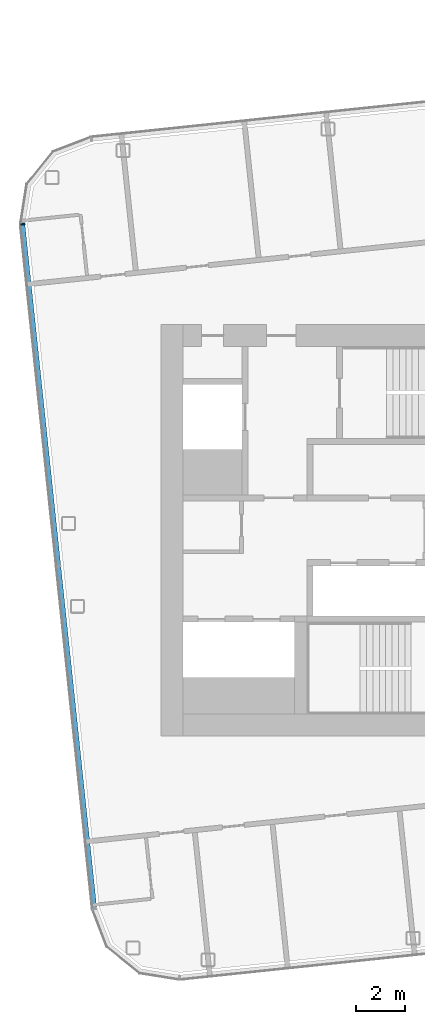
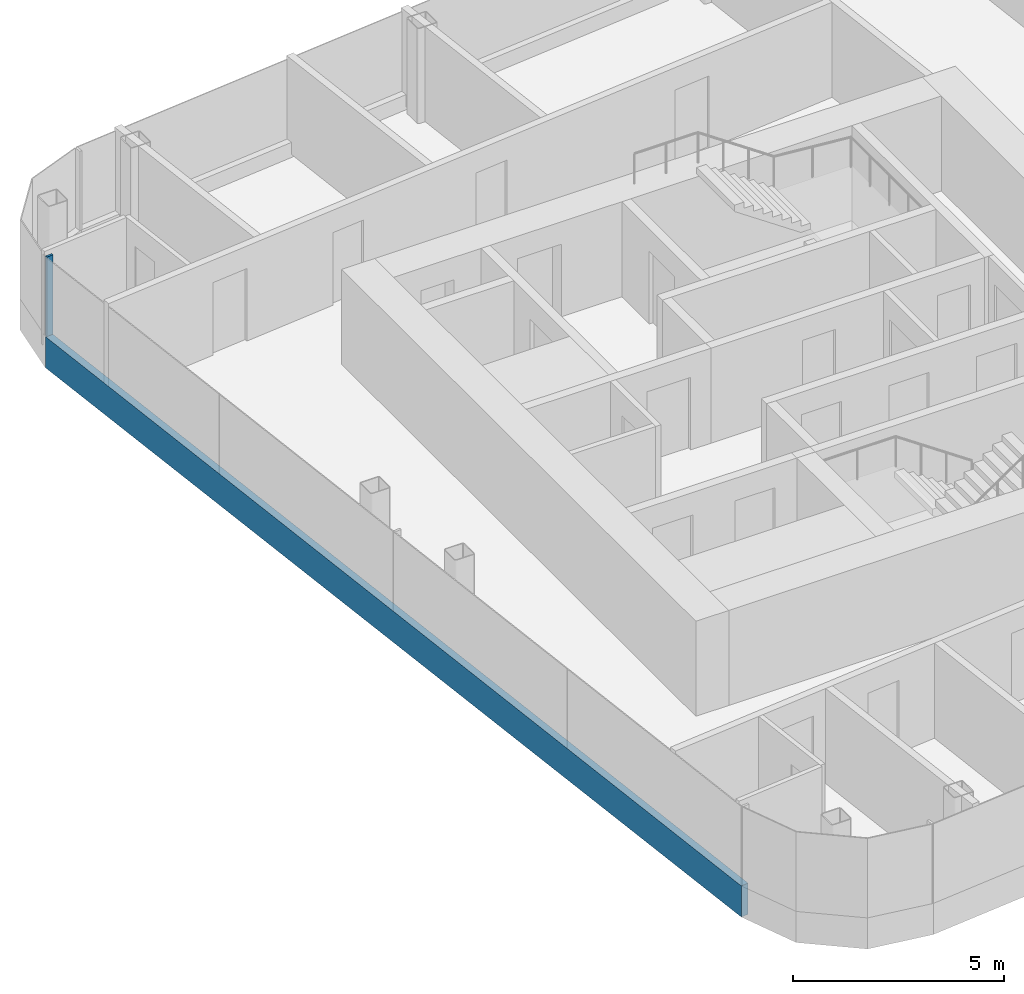
# One storey, part 4 of 27: 2 members, 1 element without a shape of its own.
"""IFC4 building model written with IfcOpenShell, lengths in metres."""

from ifc_helpers import new_model, si_unit, direction, frame, origin, origin_2d, place, context, subcontext, project, spatial, rectangle, extrude, material, layer, layer_set, material_profile, profile_set, type_object, element, aggregate, save


model = new_model("IFC4")

# Units and contexts
model_context = context("Model", 3, precision=1e-05, world=origin(), true_north=direction((0.0, 1.0)))
body_context = subcontext(model_context, "Body", "Model", "MODEL_VIEW")
ifc_project = project(units=[si_unit("LENGTHUNIT", "METRE"), si_unit("AREAUNIT", "SQUARE_METRE"), si_unit("VOLUMEUNIT", "CUBIC_METRE"), si_unit("PLANEANGLEUNIT", "RADIAN"), si_unit("MASSUNIT", "GRAM", prefix="KILO")], contexts=[model_context])

# Site, building, storey
site_placement = place(None, origin())
site = spatial("IfcSite", under=ifc_project, at=site_placement, CompositionType="ELEMENT")
building_placement = place(site_placement, origin())
building = spatial("IfcBuilding", under=site, at=building_placement, Name="Hakoniwa Tower and Hamabe Station Hall", CompositionType="ELEMENT")
storey_placement = place(building_placement, frame((0.0, 0.0, 239.0)))
storey = spatial("IfcBuildingStorey", under=building, at=storey_placement, Name="L67", CompositionType="ELEMENT", Elevation=239.0)

# Curtain wall, members
ifc_material_1 = material(Name="Dark low-e laminated glass", Category="glass")
ifc_layer = layer(ifc_material_1, 0.199951171875)
ifc_layer_set = layer_set([ifc_layer], Name="CW-1 UNITISED GUEST")
curtain_wall_type = type_object("IfcCurtainWallType", Name="CW-1 UNITISED GUEST", PredefinedType="NOTDEFINED", material=ifc_layer_set)
curtain_wall_placement = place(storey_placement, origin())
curtain_wall = element("IfcCurtainWall", 1, at=curtain_wall_placement, inside=storey, type_object=curtain_wall_type, Name="CW-1 curtain wall", PredefinedType="NOTDEFINED")
ifc_material_2 = material(Name="Aluminium 6063-T5 black anodised", Category="aluminium")
ifc_material_profile_1 = material_profile(ifc_material_2, rectangle(XDim=0.199951171875, YDim=0.89990234375, at=origin_2d()), Name="CW SLAB-EDGE BAND 900X200")
ifc_profile_set_1 = profile_set([ifc_material_profile_1], Name="Aluminium 6063-T5 black anodised")
member_type_1 = type_object("IfcMemberType", Name="CW SLAB-EDGE BAND 900X200", PredefinedType="USERDEFINED", material=ifc_profile_set_1)
member_1_placement = place(storey_placement, frame((-39.25927734375, 12.490478515625, -0.10009765625), z_axis=(0.104529086463, -0.994521829868, 0.0), x_axis=(0.994521829868, 0.104529086463, 0.0)))
member_1 = element("IfcMember", 2, at=member_1_placement, type_object=member_type_1, Name="CW-1 transom", ObjectType="TRANSOM", PredefinedType="USERDEFINED", context=body_context, shape_type="SweptSolid", body=[
    extrude(rectangle(XDim=0.199951171875, YDim=0.89990234375, at=origin_2d()), origin(), (0.0, 0.0, 1.0), 28.078857421875),
])
ifc_material_3 = material(Name="Aluminium 6063-T5 black anodised", Category="aluminium")
ifc_material_profile_2 = material_profile(ifc_material_3, rectangle(XDim=0.06005859375, YDim=0.179931640625, at=origin_2d()), Name="CW-1 MULLION 60X180")
ifc_profile_set_2 = profile_set([ifc_material_profile_2], Name="Aluminium 6063-T5 black anodised")
member_type_2 = type_object("IfcMemberType", Name="CW-1 MULLION 60X180", PredefinedType="MULLION", material=ifc_profile_set_2)
member_2_placement = place(storey_placement, frame((-39.241455078125, 12.492431640625, 0.35009765625), z_axis=(0.0, 0.0, 1.0), x_axis=(0.104528468631, -0.994521894805, 0.0)))
member_2 = element("IfcMember", 3, at=member_2_placement, type_object=member_type_2, Name="CW-1 mullion", PredefinedType="MULLION", context=body_context, shape_type="SweptSolid", body=[
    extrude(rectangle(XDim=0.06005859375, YDim=0.179931640625, at=origin_2d()), origin(), (0.0, 0.0, 1.0), 2.2998046875),
])
aggregate(curtain_wall, [member_2, member_1])

save(model, "model.ifc")
